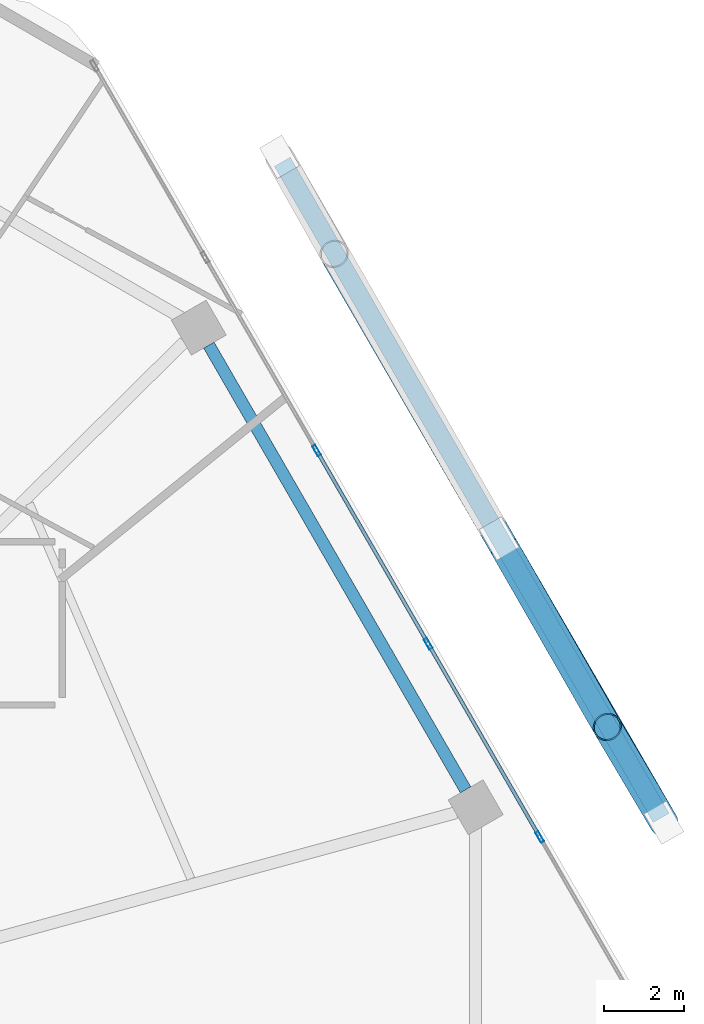
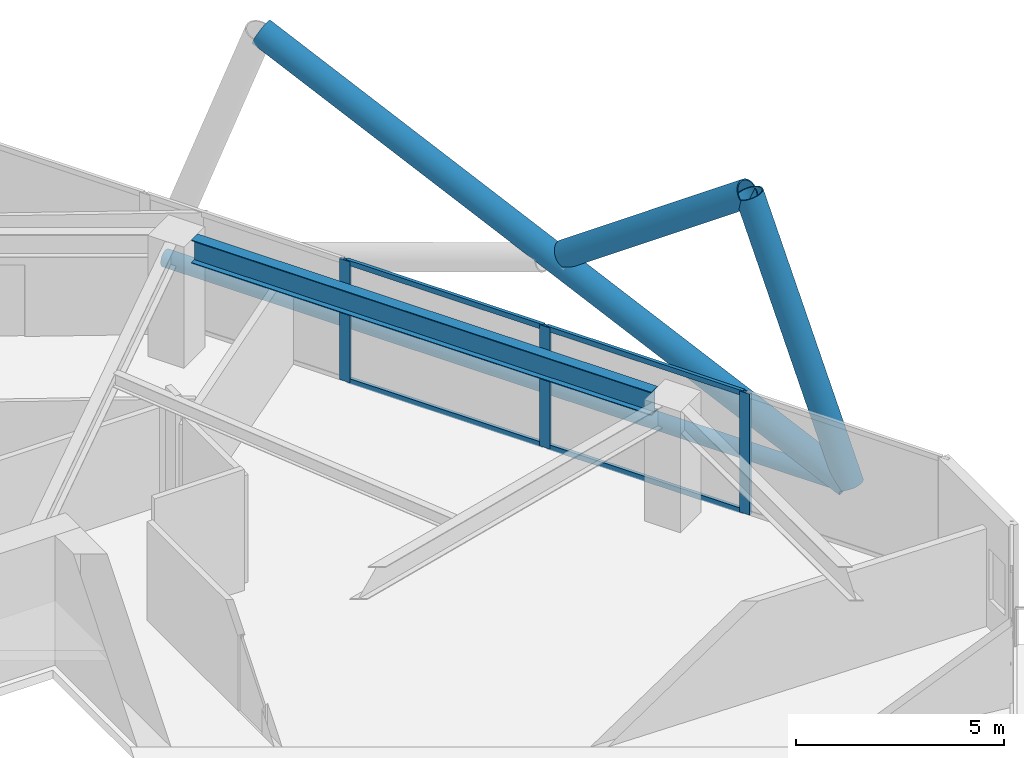
# One storey, part 17 of 30: 11 members, 1 beam, 1 element without a shape of its own.
"""IFC4 building model written with IfcOpenShell, lengths in metres."""

from ifc_helpers import new_model, si_unit, direction, frame, origin, origin_2d, place, context, subcontext, project, spatial, hollow_rectangle, hollow_circle, i_section, extrude, material, material_profile, profile_set, type_object, element, aggregate, save


model = new_model("IFC4")

# Units and contexts
model_context = context("Model", 3, precision=1e-05, world=origin(), true_north=direction((0.0, 1.0)))
body_context = subcontext(model_context, "Body", "Model", "MODEL_VIEW")
ifc_project = project(units=[si_unit("LENGTHUNIT", "METRE"), si_unit("AREAUNIT", "SQUARE_METRE"), si_unit("VOLUMEUNIT", "CUBIC_METRE"), si_unit("PLANEANGLEUNIT", "RADIAN"), si_unit("MASSUNIT", "GRAM", prefix="KILO")], contexts=[model_context])

# Site, building, storey
site_placement = place(None, origin())
site = spatial("IfcSite", under=ifc_project, at=site_placement, CompositionType="ELEMENT")
building_placement = place(site_placement, origin())
building = spatial("IfcBuilding", under=site, at=building_placement, Name="Zuhravey Tower", CompositionType="ELEMENT")
storey_placement = place(building_placement, frame((0.0, 0.0, 177.0)))
storey = spatial("IfcBuildingStorey", under=building, at=storey_placement, Name="L44", CompositionType="ELEMENT", Elevation=177.0)

# Curtain wall, members
ifc_material_1 = material(Name="Thermally broken anodised aluminium", Category="aluminium")
curtain_wall_type = type_object("IfcCurtainWallType", Name="Zone 1-2 Residential Curtain Wall CW3", PredefinedType="NOTDEFINED", material=ifc_material_1)
curtain_wall_placement = place(storey_placement, origin())
curtain_wall = element("IfcCurtainWall", 1, at=curtain_wall_placement, inside=storey, type_object=curtain_wall_type, Name="L44 CW3 CW-L44-F1-1", PredefinedType="NOTDEFINED")
ifc_material_2 = material(Name="Anodised aluminium", Category="aluminium")
ifc_material_profile_1 = material_profile(ifc_material_2, hollow_rectangle(XDim=0.090087890625, YDim=0.284912109375, WallThickness=0.0048828125, at=origin_2d()), Name="ALU-RHS-90x285x5")
ifc_profile_set_1 = profile_set([ifc_material_profile_1], Name="Anodised aluminium")
member_type_1 = type_object("IfcMemberType", Name="Curtain-Wall Mullion 90x180", PredefinedType="MULLION", material=ifc_profile_set_1)
member_1_placement = place(storey_placement, frame((58.155029296875, 47.992431640625, 0.0), z_axis=(0.0, 0.0, 1.0), x_axis=(0.866025138215, 0.500000459979, 0.0)))
member_1 = element("IfcMember", 2, at=member_1_placement, type_object=member_type_1, Name="CW3 mullion 3", PredefinedType="MULLION", context=body_context, shape_type="SweptSolid", body=[
    extrude(hollow_rectangle(XDim=0.090087890625, YDim=0.284912109375, WallThickness=0.0048828125, at=origin_2d()), origin(), (0.0, 0.0, 1.0), 3.550048828125),
])
member_2_placement = place(storey_placement, frame((60.92724609375, 43.190673828125, 0.0), z_axis=(0.0, 0.0, 1.0), x_axis=(0.866025138215, 0.500000459979, 0.0)))
member_2 = element("IfcMember", 3, at=member_2_placement, type_object=member_type_1, Name="CW3 mullion 4", PredefinedType="MULLION", context=body_context, shape_type="SweptSolid", body=[
    extrude(hollow_rectangle(XDim=0.090087890625, YDim=0.284912109375, WallThickness=0.0048828125, at=origin_2d()), origin(), (0.0, 0.0, 1.0), 3.550048828125),
])
member_3_placement = place(storey_placement, frame((63.699462890625, 38.38916015625, 0.0), z_axis=(0.0, 0.0, 1.0), x_axis=(0.866025138215, 0.500000459979, 0.0)))
member_3 = element("IfcMember", 4, at=member_3_placement, type_object=member_type_1, Name="CW3 mullion 5", PredefinedType="MULLION", context=body_context, shape_type="SweptSolid", body=[
    extrude(hollow_rectangle(XDim=0.090087890625, YDim=0.284912109375, WallThickness=0.0048828125, at=origin_2d()), origin(), (0.0, 0.0, 1.0), 3.550048828125),
])
ifc_material_profile_2 = material_profile(ifc_material_2, hollow_rectangle(XDim=0.090087890625, YDim=0.14990234375, WallThickness=0.0048828125, at=origin_2d()), Name="ALU-RHS-90x150x5")
ifc_profile_set_2 = profile_set([ifc_material_profile_2], Name="Anodised aluminium")
member_type_2 = type_object("IfcMemberType", Name="Curtain-Wall Transom 90x150", PredefinedType="USERDEFINED", material=ifc_profile_set_2)
member_4_placement = place(storey_placement, frame((58.177734375, 47.953369140625, 0.044921875), z_axis=(0.499980763544, -0.866036509673, 0.0), x_axis=(0.866036509673, 0.499980763544, 0.0)))
member_4 = element("IfcMember", 5, at=member_4_placement, type_object=member_type_2, Name="CW3 transom 3.1", ObjectType="TRANSOM", PredefinedType="USERDEFINED", context=body_context, shape_type="SweptSolid", body=[
    extrude(hollow_rectangle(XDim=0.090087890625, YDim=0.14990234375, WallThickness=0.0048828125, at=origin_2d()), origin(), (0.0, 0.0, 1.0), 5.454345703125),
])
member_5_placement = place(storey_placement, frame((58.177734375, 47.953369140625, 3.5048828125), z_axis=(0.499980763544, -0.866036509673, 0.0), x_axis=(0.866036509673, 0.499980763544, 0.0)))
member_5 = element("IfcMember", 6, at=member_5_placement, type_object=member_type_2, Name="CW3 transom 3.2", ObjectType="TRANSOM", PredefinedType="USERDEFINED", context=body_context, shape_type="SweptSolid", body=[
    extrude(hollow_rectangle(XDim=0.090087890625, YDim=0.14990234375, WallThickness=0.0048828125, at=origin_2d()), origin(), (0.0, 0.0, 1.0), 5.454345703125),
])
member_6_placement = place(storey_placement, frame((60.949951171875, 43.15185546875, 0.044921875), z_axis=(0.49996138257, -0.86604769842, 0.0), x_axis=(0.86604769842, 0.49996138257, 0.0)))
member_6 = element("IfcMember", 7, at=member_6_placement, type_object=member_type_2, Name="CW3 transom 4.1", ObjectType="TRANSOM", PredefinedType="USERDEFINED", context=body_context, shape_type="SweptSolid", body=[
    extrude(hollow_rectangle(XDim=0.090087890625, YDim=0.14990234375, WallThickness=0.0048828125, at=origin_2d()), origin(), (0.0, 0.0, 1.0), 5.45458984375),
])
member_7_placement = place(storey_placement, frame((60.949951171875, 43.15185546875, 3.5048828125), z_axis=(0.49996138257, -0.86604769842, 0.0), x_axis=(0.86604769842, 0.49996138257, 0.0)))
member_7 = element("IfcMember", 8, at=member_7_placement, type_object=member_type_2, Name="CW3 transom 4.2", ObjectType="TRANSOM", PredefinedType="USERDEFINED", context=body_context, shape_type="SweptSolid", body=[
    extrude(hollow_rectangle(XDim=0.090087890625, YDim=0.14990234375, WallThickness=0.0048828125, at=origin_2d()), origin(), (0.0, 0.0, 1.0), 5.45458984375),
])
aggregate(curtain_wall, [member_1, member_2, member_3, member_4, member_5, member_6, member_7])

# Members
ifc_material_3 = material(Name="Steel SM355", Category="steel")
ifc_material_profile_3 = material_profile(ifc_material_3, hollow_circle(Radius=0.228515625, WallThickness=0.02197265625, at=origin_2d()), Name="CHS-457.2x22")
ifc_profile_set_3 = profile_set([ifc_material_profile_3], Name="Steel SM355")
member_type_3 = type_object("IfcMemberType", Name="Exoskeleton Ring Tie CHS457x22", PredefinedType="CHORD", material=ifc_profile_set_3)
member_8_placement = place(storey_placement, frame((66.716796875, 38.863037109375, -0.464111328125), z_axis=(-0.499994808408, 0.866028401131, 0.0), x_axis=(-0.866028401131, -0.499994808408, 0.0)))
element("IfcMember", 9, at=member_8_placement, inside=storey, type_object=member_type_3, Name="L44 Exoskeleton Face 1 Tie EXR1", PredefinedType="CHORD", context=body_context, shape_type="SweptSolid", body=[
    extrude(hollow_circle(Radius=0.228515625, WallThickness=0.02197265625, at=origin_2d()), origin(), (0.0, 0.0, 1.0), 18.829833984375),
])
ifc_material_4 = material(Name="Steel SM460", Category="steel")
ifc_material_profile_4 = material_profile(ifc_material_4, hollow_circle(Radius=0.355712890625, WallThickness=0.031982421875, at=origin_2d()), Name="CHS-711.2x32")
ifc_profile_set_4 = profile_set([ifc_material_profile_4], Name="Steel SM460")
member_type_4 = type_object("IfcMemberType", Name="Exoskeleton Zone 2 Diagrid CHS711x32", PredefinedType="BRACE", material=ifc_profile_set_4)
member_9_placement = place(storey_placement, frame((66.783203125, 38.748046875, -0.444091796875), z_axis=(-0.174643023153, 0.295076026787, 0.939377428343), x_axis=(-0.8605687688, -0.509334265651, 0.0)))
element("IfcMember", 10, at=member_9_placement, inside=storey, type_object=member_type_4, Name="L44 Face 1 Diagrid Brace 1", PredefinedType="BRACE", context=body_context, shape_type="SweptSolid", body=[
    extrude(hollow_circle(Radius=0.355712890625, WallThickness=0.031982421875, at=origin_2d()), origin(), (0.0, 0.0, 1.0), 8.0478515625),
])
member_10_placement = place(storey_placement, frame((66.765380859375, 38.77880859375, -0.444091796875), z_axis=(-0.454780716985, 0.784376182994, 0.421815721625), x_axis=(-0.865106555349, -0.501588125749, 0.0)))
element("IfcMember", 11, at=member_10_placement, inside=storey, type_object=member_type_4, Name="L44 Face 1 Diagrid Brace 2", PredefinedType="BRACE", context=body_context, shape_type="SweptSolid", body=[
    extrude(hollow_circle(Radius=0.355712890625, WallThickness=0.031982421875, at=origin_2d()), origin(), (0.0, 0.0, 1.0), 17.922607421875),
])
member_11_placement = place(storey_placement, frame((62.83056640625, 45.56298828125, 3.534912109375), z_axis=(0.406751412912, -0.709119821524, 0.575936078759), x_axis=(0.867430450265, 0.497558452801, 0.0)))
element("IfcMember", 12, at=member_11_placement, inside=storey, type_object=member_type_4, Name="L44 Face 1 Split Diagrid Brace 3B", PredefinedType="BRACE", context=body_context, shape_type="SweptSolid", body=[
    extrude(hollow_circle(Radius=0.355712890625, WallThickness=0.031982421875, at=origin_2d()), origin(), (0.0, 0.0, 1.0), 6.205078125),
])

# Beam
ifc_material_profile_5 = material_profile(ifc_material_3, i_section(OverallWidth=0.300048828125, OverallDepth=0.679931640625, WebThickness=0.012939453125, FlangeThickness=0.02197265625, at=origin_2d()), Name="H-680x300x13x22")
ifc_profile_set_5 = profile_set([ifc_material_profile_5], Name="Steel SM355")
beam_type = type_object("IfcBeamType", Name="Perimeter Ring Beam H680x300", PredefinedType="BEAM", material=ifc_profile_set_5)
beam_placement = place(storey_placement, frame((61.856201171875, 39.56201171875, 3.2099609375), z_axis=(-0.499997974489, 0.866026573211, 0.0), x_axis=(-0.866026573211, -0.499997974489, 0.0)))
element("IfcBeam", 13, at=beam_placement, inside=storey, type_object=beam_type, Name="L44 PB2 BM-L44-PB-01", PredefinedType="BEAM", context=body_context, shape_type="SweptSolid", body=[
    extrude(i_section(OverallWidth=0.300048828125, OverallDepth=0.679931640625, WebThickness=0.012939453125, FlangeThickness=0.02197265625, at=origin_2d()), origin(), (0.0, 0.0, 1.0), 12.75830078125),
])

save(model, "model.ifc")
